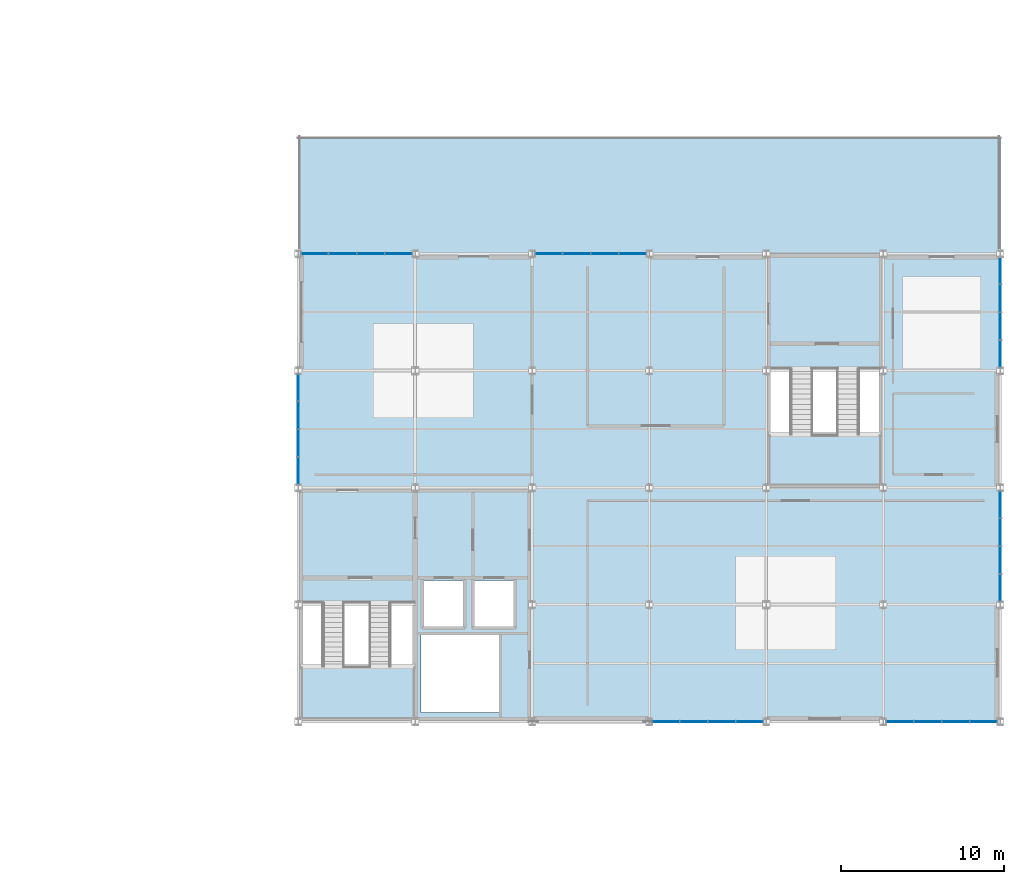
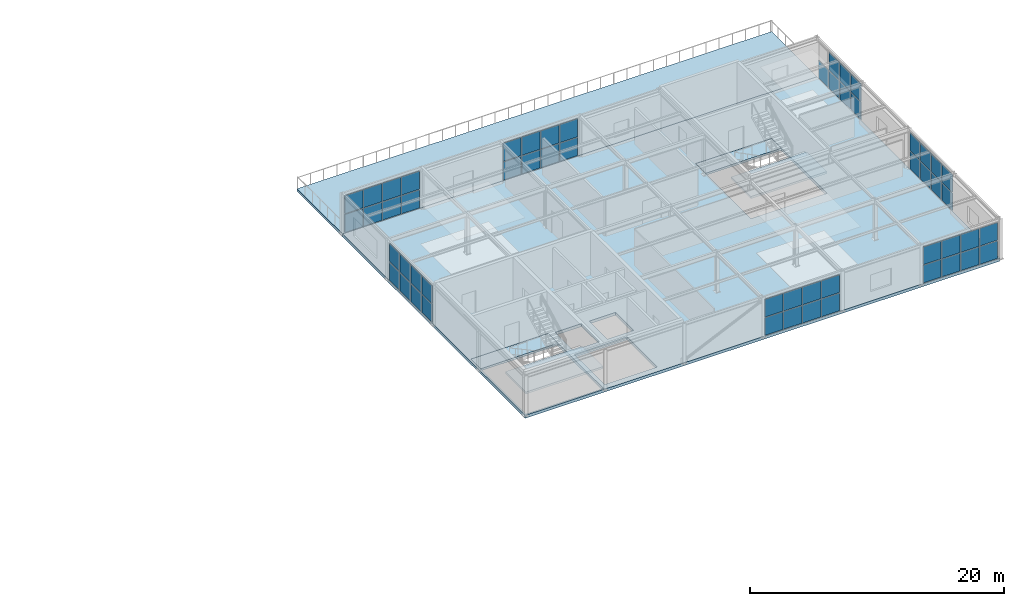
# One storey, part 17 of 30: 55 plates, 6 slabs, 9 elements without a shape of their own.
"""IFC4 building model written with IfcOpenShell, lengths in metres."""

from ifc_helpers import new_model, si_unit, direction, frame, origin, origin_2d, place, context, subcontext, project, spatial, polyline, rectangle, outline, extrude, material, layer, layer_set, type_object, element, aggregate, save


model = new_model("IFC4")

# Units and contexts
model_context = context("Model", 3, precision=1e-05, world=origin(), true_north=direction((0.0, 1.0)))
body_context = subcontext(model_context, "Body", "Model", "MODEL_VIEW")
ifc_project = project(units=[si_unit("LENGTHUNIT", "METRE"), si_unit("AREAUNIT", "SQUARE_METRE"), si_unit("VOLUMEUNIT", "CUBIC_METRE"), si_unit("PLANEANGLEUNIT", "RADIAN"), si_unit("MASSUNIT", "GRAM", prefix="KILO")], contexts=[model_context])

# Site, building, storey
site_placement = place(None, origin())
site = spatial("IfcSite", under=ifc_project, at=site_placement, CompositionType="ELEMENT")
building_placement = place(site_placement, origin())
building = spatial("IfcBuilding", under=site, at=building_placement, Name="Leyfeld Transit Interchange", CompositionType="ELEMENT")
storey_placement = place(building_placement, frame((0.0, 0.0, 13.800048828125)))
storey = spatial("IfcBuildingStorey", under=building, at=storey_placement, Name="L03", CompositionType="ELEMENT", Elevation=13.800048828125)

# Curtain wall, plates
ifc_material_1 = material(Name="Anodised aluminium EN AW-6060 T66", Category="aluminium")
curtain_wall_type = type_object("IfcCurtainWallType", Name="CW-SYS-BUS-7200", PredefinedType="NOTDEFINED", material=ifc_material_1)
curtain_wall_1_placement = place(storey_placement, origin())
curtain_wall_1 = element("IfcCurtainWall", 1, at=curtain_wall_1_placement, inside=storey, type_object=curtain_wall_type, Name="Curtain Wall CW-L03-128", PredefinedType="NOTDEFINED")
ifc_material_2 = material(Name="Laminated safety acoustic glazing", Category="glass")
ifc_layer_1 = layer(ifc_material_2, 0.048095703125, Name="Laminated safety acoustic glazing")
ifc_layer_set_1 = layer_set([ifc_layer_1], Name="Laminated safety acoustic glazing")
plate_type = type_object("IfcPlateType", Name="CW-PNL-ACU-48", PredefinedType="CURTAIN_PANEL", material=ifc_layer_set_1)
plate_1_placement = place(storey_placement, frame((136.800048828125, 73.04638671875, 0.073486328125), z_axis=(0.0, 0.0, 1.0), x_axis=(0.0, 1.0, 0.0)))
plate_1 = element("IfcPlate", 2, at=plate_1_placement, type_object=plate_type, Name="Glazed Curtain Panel CW-L03-128-P01_1", PredefinedType="CURTAIN_PANEL", context=body_context, shape_type="SweptSolid", body=[
    extrude(rectangle(XDim=1.60546875, YDim=0.048095703125, at=origin_2d()), origin(), (0.0, 0.0, 1.0), 1.73046875),
])
plate_2_placement = place(storey_placement, frame((136.800048828125, 73.04638671875, 1.8759765625), z_axis=(0.0, 0.0, 1.0), x_axis=(0.0, 1.0, 0.0)))
plate_2 = element("IfcPlate", 3, at=plate_2_placement, type_object=plate_type, Name="Glazed Curtain Panel CW-L03-128-P01_2", PredefinedType="CURTAIN_PANEL", context=body_context, shape_type="SweptSolid", body=[
    extrude(rectangle(XDim=1.60546875, YDim=0.048095703125, at=origin_2d()), origin(), (0.0, 0.0, 1.0), 1.73046875),
])
plate_3_placement = place(storey_placement, frame((136.800048828125, 74.742431640625, 0.073486328125), z_axis=(0.0, 0.0, 1.0), x_axis=(0.0, 1.0, 0.0)))
plate_3 = element("IfcPlate", 4, at=plate_3_placement, type_object=plate_type, Name="Glazed Curtain Panel CW-L03-128-P02_1", PredefinedType="CURTAIN_PANEL", context=body_context, shape_type="SweptSolid", body=[
    extrude(rectangle(XDim=1.64306640625, YDim=0.048095703125, at=origin_2d()), origin(), (0.0, 0.0, 1.0), 1.73046875),
])
plate_4_placement = place(storey_placement, frame((136.800048828125, 74.742431640625, 1.8759765625), z_axis=(0.0, 0.0, 1.0), x_axis=(0.0, 1.0, 0.0)))
plate_4 = element("IfcPlate", 5, at=plate_4_placement, type_object=plate_type, Name="Glazed Curtain Panel CW-L03-128-P02_2", PredefinedType="CURTAIN_PANEL", context=body_context, shape_type="SweptSolid", body=[
    extrude(rectangle(XDim=1.64306640625, YDim=0.048095703125, at=origin_2d()), origin(), (0.0, 0.0, 1.0), 1.73046875),
])
plate_5_placement = place(storey_placement, frame((136.800048828125, 76.45751953125, 0.073486328125), z_axis=(0.0, 0.0, 1.0), x_axis=(0.0, 1.0, 0.0)))
plate_5 = element("IfcPlate", 6, at=plate_5_placement, type_object=plate_type, Name="Glazed Curtain Panel CW-L03-128-P03_1", PredefinedType="CURTAIN_PANEL", context=body_context, shape_type="SweptSolid", body=[
    extrude(rectangle(XDim=1.64306640625, YDim=0.048095703125, at=origin_2d()), origin(), (0.0, 0.0, 1.0), 1.73046875),
])
plate_6_placement = place(storey_placement, frame((136.800048828125, 76.45751953125, 1.8759765625), z_axis=(0.0, 0.0, 1.0), x_axis=(0.0, 1.0, 0.0)))
plate_6 = element("IfcPlate", 7, at=plate_6_placement, type_object=plate_type, Name="Glazed Curtain Panel CW-L03-128-P03_2", PredefinedType="CURTAIN_PANEL", context=body_context, shape_type="SweptSolid", body=[
    extrude(rectangle(XDim=1.64306640625, YDim=0.048095703125, at=origin_2d()), origin(), (0.0, 0.0, 1.0), 1.73046875),
])
plate_7_placement = place(storey_placement, frame((136.800048828125, 78.15380859375, 0.073486328125), z_axis=(0.0, 0.0, 1.0), x_axis=(0.0, 1.0, 0.0)))
plate_7 = element("IfcPlate", 8, at=plate_7_placement, type_object=plate_type, Name="Glazed Curtain Panel CW-L03-128-P04_1", PredefinedType="CURTAIN_PANEL", context=body_context, shape_type="SweptSolid", body=[
    extrude(rectangle(XDim=1.60546875, YDim=0.048095703125, at=origin_2d()), origin(), (0.0, 0.0, 1.0), 1.73046875),
])
plate_8_placement = place(storey_placement, frame((136.800048828125, 78.15380859375, 1.8759765625), z_axis=(0.0, 0.0, 1.0), x_axis=(0.0, 1.0, 0.0)))
plate_8 = element("IfcPlate", 9, at=plate_8_placement, type_object=plate_type, Name="Glazed Curtain Panel CW-L03-128-P04_2", PredefinedType="CURTAIN_PANEL", context=body_context, shape_type="SweptSolid", body=[
    extrude(rectangle(XDim=1.60546875, YDim=0.048095703125, at=origin_2d()), origin(), (0.0, 0.0, 1.0), 1.73046875),
])
aggregate(curtain_wall_1, [plate_1, plate_2, plate_3, plate_4, plate_5, plate_6, plate_7, plate_8])

curtain_wall_2_placement = place(storey_placement, origin())
curtain_wall_2 = element("IfcCurtainWall", 10, at=curtain_wall_2_placement, inside=storey, type_object=curtain_wall_type, Name="Curtain Wall CW-L03-129", PredefinedType="NOTDEFINED")
plate_9_placement = place(storey_placement, frame((137.82373046875, 86.39990234375, 0.073486328125), z_axis=(0.0, 0.0, 1.0), x_axis=(1.0, 0.0, 0.0)))
plate_9 = element("IfcPlate", 11, at=plate_9_placement, type_object=plate_type, Name="Glazed Curtain Panel CW-L03-129-P01_1", PredefinedType="CURTAIN_PANEL", context=body_context, shape_type="SweptSolid", body=[
    extrude(rectangle(XDim=1.62060546875, YDim=0.048095703125, at=origin_2d()), origin(), (0.0, 0.0, 1.0), 1.73046875),
])
plate_10_placement = place(storey_placement, frame((137.82373046875, 86.39990234375, 1.8759765625), z_axis=(0.0, 0.0, 1.0), x_axis=(1.0, 0.0, 0.0)))
plate_10 = element("IfcPlate", 12, at=plate_10_placement, type_object=plate_type, Name="Glazed Curtain Panel CW-L03-129-P01_2", PredefinedType="CURTAIN_PANEL", context=body_context, shape_type="SweptSolid", body=[
    extrude(rectangle(XDim=1.62060546875, YDim=0.048095703125, at=origin_2d()), origin(), (0.0, 0.0, 1.0), 1.73046875),
])
plate_11_placement = place(storey_placement, frame((139.534912109375, 86.39990234375, 0.073486328125), z_axis=(0.0, 0.0, 1.0), x_axis=(1.0, 0.0, 0.0)))
plate_11 = element("IfcPlate", 13, at=plate_11_placement, type_object=plate_type, Name="Glazed Curtain Panel CW-L03-129-P02_1", PredefinedType="CURTAIN_PANEL", context=body_context, shape_type="SweptSolid", body=[
    extrude(rectangle(XDim=1.657958984375, YDim=0.048095703125, at=origin_2d()), origin(), (0.0, 0.0, 1.0), 1.73046875),
])
plate_12_placement = place(storey_placement, frame((139.534912109375, 86.39990234375, 1.8759765625), z_axis=(0.0, 0.0, 1.0), x_axis=(1.0, 0.0, 0.0)))
plate_12 = element("IfcPlate", 14, at=plate_12_placement, type_object=plate_type, Name="Glazed Curtain Panel CW-L03-129-P02_2", PredefinedType="CURTAIN_PANEL", context=body_context, shape_type="SweptSolid", body=[
    extrude(rectangle(XDim=1.657958984375, YDim=0.048095703125, at=origin_2d()), origin(), (0.0, 0.0, 1.0), 1.73046875),
])
plate_13_placement = place(storey_placement, frame((141.264892578125, 86.39990234375, 0.073486328125), z_axis=(0.0, 0.0, 1.0), x_axis=(1.0, 0.0, 0.0)))
plate_13 = element("IfcPlate", 15, at=plate_13_placement, type_object=plate_type, Name="Glazed Curtain Panel CW-L03-129-P03_1", PredefinedType="CURTAIN_PANEL", context=body_context, shape_type="SweptSolid", body=[
    extrude(rectangle(XDim=1.657958984375, YDim=0.048095703125, at=origin_2d()), origin(), (0.0, 0.0, 1.0), 1.73046875),
])
plate_14_placement = place(storey_placement, frame((141.264892578125, 86.39990234375, 1.8759765625), z_axis=(0.0, 0.0, 1.0), x_axis=(1.0, 0.0, 0.0)))
plate_14 = element("IfcPlate", 16, at=plate_14_placement, type_object=plate_type, Name="Glazed Curtain Panel CW-L03-129-P03_2", PredefinedType="CURTAIN_PANEL", context=body_context, shape_type="SweptSolid", body=[
    extrude(rectangle(XDim=1.657958984375, YDim=0.048095703125, at=origin_2d()), origin(), (0.0, 0.0, 1.0), 1.73046875),
])
plate_15_placement = place(storey_placement, frame((142.976318359375, 86.39990234375, 0.073486328125), z_axis=(0.0, 0.0, 1.0), x_axis=(1.0, 0.0, 0.0)))
plate_15 = element("IfcPlate", 17, at=plate_15_placement, type_object=plate_type, Name="Glazed Curtain Panel CW-L03-129-P04_1", PredefinedType="CURTAIN_PANEL", context=body_context, shape_type="SweptSolid", body=[
    extrude(rectangle(XDim=1.62060546875, YDim=0.048095703125, at=origin_2d()), origin(), (0.0, 0.0, 1.0), 1.73046875),
])
plate_16_placement = place(storey_placement, frame((142.976318359375, 86.39990234375, 1.8759765625), z_axis=(0.0, 0.0, 1.0), x_axis=(1.0, 0.0, 0.0)))
plate_16 = element("IfcPlate", 18, at=plate_16_placement, type_object=plate_type, Name="Glazed Curtain Panel CW-L03-129-P04_2", PredefinedType="CURTAIN_PANEL", context=body_context, shape_type="SweptSolid", body=[
    extrude(rectangle(XDim=1.62060546875, YDim=0.048095703125, at=origin_2d()), origin(), (0.0, 0.0, 1.0), 1.73046875),
])
aggregate(curtain_wall_2, [plate_9, plate_10, plate_11, plate_12, plate_13, plate_14, plate_15, plate_16])

curtain_wall_3_placement = place(storey_placement, origin())
curtain_wall_3 = element("IfcCurtainWall", 19, at=curtain_wall_3_placement, inside=storey, type_object=curtain_wall_type, Name="Curtain Wall CW-L03-130", PredefinedType="NOTDEFINED")
plate_17_placement = place(storey_placement, frame((152.2236328125, 86.39990234375, 0.073486328125), z_axis=(0.0, 0.0, 1.0), x_axis=(1.0, 0.0, 0.0)))
plate_17 = element("IfcPlate", 20, at=plate_17_placement, type_object=plate_type, Name="Glazed Curtain Panel CW-L03-130-P01_1", PredefinedType="CURTAIN_PANEL", context=body_context, shape_type="SweptSolid", body=[
    extrude(rectangle(XDim=1.62060546875, YDim=0.048095703125, at=origin_2d()), origin(), (0.0, 0.0, 1.0), 1.73046875),
])
plate_18_placement = place(storey_placement, frame((152.2236328125, 86.39990234375, 1.8759765625), z_axis=(0.0, 0.0, 1.0), x_axis=(1.0, 0.0, 0.0)))
plate_18 = element("IfcPlate", 21, at=plate_18_placement, type_object=plate_type, Name="Glazed Curtain Panel CW-L03-130-P01_2", PredefinedType="CURTAIN_PANEL", context=body_context, shape_type="SweptSolid", body=[
    extrude(rectangle(XDim=1.62060546875, YDim=0.048095703125, at=origin_2d()), origin(), (0.0, 0.0, 1.0), 1.73046875),
])
plate_19_placement = place(storey_placement, frame((153.93505859375, 86.39990234375, 0.073486328125), z_axis=(0.0, 0.0, 1.0), x_axis=(1.0, 0.0, 0.0)))
plate_19 = element("IfcPlate", 22, at=plate_19_placement, type_object=plate_type, Name="Glazed Curtain Panel CW-L03-130-P02_1", PredefinedType="CURTAIN_PANEL", context=body_context, shape_type="SweptSolid", body=[
    extrude(rectangle(XDim=1.657958984375, YDim=0.048095703125, at=origin_2d()), origin(), (0.0, 0.0, 1.0), 1.73046875),
])
plate_20_placement = place(storey_placement, frame((153.93505859375, 86.39990234375, 1.8759765625), z_axis=(0.0, 0.0, 1.0), x_axis=(1.0, 0.0, 0.0)))
plate_20 = element("IfcPlate", 23, at=plate_20_placement, type_object=plate_type, Name="Glazed Curtain Panel CW-L03-130-P02_2", PredefinedType="CURTAIN_PANEL", context=body_context, shape_type="SweptSolid", body=[
    extrude(rectangle(XDim=1.657958984375, YDim=0.048095703125, at=origin_2d()), origin(), (0.0, 0.0, 1.0), 1.73046875),
])
plate_21_placement = place(storey_placement, frame((155.6650390625, 86.39990234375, 0.073486328125), z_axis=(0.0, 0.0, 1.0), x_axis=(1.0, 0.0, 0.0)))
plate_21 = element("IfcPlate", 24, at=plate_21_placement, type_object=plate_type, Name="Glazed Curtain Panel CW-L03-130-P03_1", PredefinedType="CURTAIN_PANEL", context=body_context, shape_type="SweptSolid", body=[
    extrude(rectangle(XDim=1.657958984375, YDim=0.048095703125, at=origin_2d()), origin(), (0.0, 0.0, 1.0), 1.73046875),
])
plate_22_placement = place(storey_placement, frame((155.6650390625, 86.39990234375, 1.8759765625), z_axis=(0.0, 0.0, 1.0), x_axis=(1.0, 0.0, 0.0)))
plate_22 = element("IfcPlate", 25, at=plate_22_placement, type_object=plate_type, Name="Glazed Curtain Panel CW-L03-130-P03_2", PredefinedType="CURTAIN_PANEL", context=body_context, shape_type="SweptSolid", body=[
    extrude(rectangle(XDim=1.657958984375, YDim=0.048095703125, at=origin_2d()), origin(), (0.0, 0.0, 1.0), 1.73046875),
])
plate_23_placement = place(storey_placement, frame((157.376220703125, 86.39990234375, 0.073486328125), z_axis=(0.0, 0.0, 1.0), x_axis=(1.0, 0.0, 0.0)))
plate_23 = element("IfcPlate", 26, at=plate_23_placement, type_object=plate_type, Name="Glazed Curtain Panel CW-L03-130-P04_1", PredefinedType="CURTAIN_PANEL", context=body_context, shape_type="SweptSolid", body=[
    extrude(rectangle(XDim=1.62060546875, YDim=0.048095703125, at=origin_2d()), origin(), (0.0, 0.0, 1.0), 1.73046875),
])
plate_24_placement = place(storey_placement, frame((157.376220703125, 86.39990234375, 1.8759765625), z_axis=(0.0, 0.0, 1.0), x_axis=(1.0, 0.0, 0.0)))
plate_24 = element("IfcPlate", 27, at=plate_24_placement, type_object=plate_type, Name="Glazed Curtain Panel CW-L03-130-P04_2", PredefinedType="CURTAIN_PANEL", context=body_context, shape_type="SweptSolid", body=[
    extrude(rectangle(XDim=1.62060546875, YDim=0.048095703125, at=origin_2d()), origin(), (0.0, 0.0, 1.0), 1.73046875),
])
aggregate(curtain_wall_3, [plate_17, plate_18, plate_19, plate_20, plate_21, plate_22, plate_23, plate_24])

curtain_wall_4_placement = place(storey_placement, origin())
curtain_wall_4 = element("IfcCurtainWall", 28, at=curtain_wall_4_placement, inside=storey, type_object=curtain_wall_type, Name="Curtain Wall CW-L03-131", PredefinedType="NOTDEFINED")
plate_25_placement = place(storey_placement, frame((180.0, 85.353759765625, 0.073486328125), z_axis=(0.0, 0.0, 1.0), x_axis=(0.0, -1.0, 0.0)))
plate_25 = element("IfcPlate", 29, at=plate_25_placement, type_object=plate_type, Name="Glazed Curtain Panel CW-L03-131-P01_1", PredefinedType="CURTAIN_PANEL", context=body_context, shape_type="SweptSolid", body=[
    extrude(rectangle(XDim=1.60546875, YDim=0.048095703125, at=origin_2d()), origin(), (0.0, 0.0, 1.0), 1.6904296875),
])
plate_26_placement = place(storey_placement, frame((180.0, 83.657470703125, 0.073486328125), z_axis=(0.0, 0.0, 1.0), x_axis=(0.0, -1.0, 0.0)))
plate_26 = element("IfcPlate", 30, at=plate_26_placement, type_object=plate_type, Name="Glazed Curtain Panel CW-L03-131-P02_1", PredefinedType="CURTAIN_PANEL", context=body_context, shape_type="SweptSolid", body=[
    extrude(rectangle(XDim=1.64306640625, YDim=0.048095703125, at=origin_2d()), origin(), (0.0, 0.0, 1.0), 1.6904296875),
])
plate_27_placement = place(storey_placement, frame((180.0, 83.657470703125, 1.8359375), z_axis=(0.0, 0.0, 1.0), x_axis=(0.0, -1.0, 0.0)))
plate_27 = element("IfcPlate", 31, at=plate_27_placement, type_object=plate_type, Name="Glazed Curtain Panel CW-L03-131-P02_2", PredefinedType="CURTAIN_PANEL", context=body_context, shape_type="SweptSolid", body=[
    extrude(rectangle(XDim=1.64306640625, YDim=0.048095703125, at=origin_2d()), origin(), (0.0, 0.0, 1.0), 1.6904296875),
])
plate_28_placement = place(storey_placement, frame((180.0, 81.9423828125, 0.073486328125), z_axis=(0.0, 0.0, 1.0), x_axis=(0.0, -1.0, 0.0)))
plate_28 = element("IfcPlate", 32, at=plate_28_placement, type_object=plate_type, Name="Glazed Curtain Panel CW-L03-131-P03_1", PredefinedType="CURTAIN_PANEL", context=body_context, shape_type="SweptSolid", body=[
    extrude(rectangle(XDim=1.64306640625, YDim=0.048095703125, at=origin_2d()), origin(), (0.0, 0.0, 1.0), 1.6904296875),
])
plate_29_placement = place(storey_placement, frame((180.0, 81.9423828125, 1.8359375), z_axis=(0.0, 0.0, 1.0), x_axis=(0.0, -1.0, 0.0)))
plate_29 = element("IfcPlate", 33, at=plate_29_placement, type_object=plate_type, Name="Glazed Curtain Panel CW-L03-131-P03_2", PredefinedType="CURTAIN_PANEL", context=body_context, shape_type="SweptSolid", body=[
    extrude(rectangle(XDim=1.64306640625, YDim=0.048095703125, at=origin_2d()), origin(), (0.0, 0.0, 1.0), 1.6904296875),
])
plate_30_placement = place(storey_placement, frame((180.0, 80.246337890625, 0.073486328125), z_axis=(0.0, 0.0, 1.0), x_axis=(0.0, -1.0, 0.0)))
plate_30 = element("IfcPlate", 34, at=plate_30_placement, type_object=plate_type, Name="Glazed Curtain Panel CW-L03-131-P04_1", PredefinedType="CURTAIN_PANEL", context=body_context, shape_type="SweptSolid", body=[
    extrude(rectangle(XDim=1.60546875, YDim=0.048095703125, at=origin_2d()), origin(), (0.0, 0.0, 1.0), 1.6904296875),
])
plate_31_placement = place(storey_placement, frame((180.0, 80.246337890625, 1.8359375), z_axis=(0.0, 0.0, 1.0), x_axis=(0.0, -1.0, 0.0)))
plate_31 = element("IfcPlate", 35, at=plate_31_placement, type_object=plate_type, Name="Glazed Curtain Panel CW-L03-131-P04_2", PredefinedType="CURTAIN_PANEL", context=body_context, shape_type="SweptSolid", body=[
    extrude(rectangle(XDim=1.60546875, YDim=0.048095703125, at=origin_2d()), origin(), (0.0, 0.0, 1.0), 1.6904296875),
])
aggregate(curtain_wall_4, [plate_25, plate_26, plate_27, plate_28, plate_29, plate_30, plate_31])

curtain_wall_5_placement = place(storey_placement, origin())
curtain_wall_5 = element("IfcCurtainWall", 36, at=curtain_wall_5_placement, inside=storey, type_object=curtain_wall_type, Name="Curtain Wall CW-L03-132", PredefinedType="NOTDEFINED")
plate_32_placement = place(storey_placement, frame((180.0, 70.95361328125, 0.073486328125), z_axis=(0.0, 0.0, 1.0), x_axis=(0.0, -1.0, 0.0)))
plate_32 = element("IfcPlate", 37, at=plate_32_placement, type_object=plate_type, Name="Glazed Curtain Panel CW-L03-132-P01_1", PredefinedType="CURTAIN_PANEL", context=body_context, shape_type="SweptSolid", body=[
    extrude(rectangle(XDim=1.60546875, YDim=0.048095703125, at=origin_2d()), origin(), (0.0, 0.0, 1.0), 1.6904296875),
])
plate_33_placement = place(storey_placement, frame((180.0, 70.95361328125, 1.8359375), z_axis=(0.0, 0.0, 1.0), x_axis=(0.0, -1.0, 0.0)))
plate_33 = element("IfcPlate", 38, at=plate_33_placement, type_object=plate_type, Name="Glazed Curtain Panel CW-L03-132-P01_2", PredefinedType="CURTAIN_PANEL", context=body_context, shape_type="SweptSolid", body=[
    extrude(rectangle(XDim=1.60546875, YDim=0.048095703125, at=origin_2d()), origin(), (0.0, 0.0, 1.0), 1.6904296875),
])
plate_34_placement = place(storey_placement, frame((180.0, 69.257568359375, 0.073486328125), z_axis=(0.0, 0.0, 1.0), x_axis=(0.0, -1.0, 0.0)))
plate_34 = element("IfcPlate", 39, at=plate_34_placement, type_object=plate_type, Name="Glazed Curtain Panel CW-L03-132-P02_1", PredefinedType="CURTAIN_PANEL", context=body_context, shape_type="SweptSolid", body=[
    extrude(rectangle(XDim=1.64306640625, YDim=0.048095703125, at=origin_2d()), origin(), (0.0, 0.0, 1.0), 1.6904296875),
])
plate_35_placement = place(storey_placement, frame((180.0, 69.257568359375, 1.8359375), z_axis=(0.0, 0.0, 1.0), x_axis=(0.0, -1.0, 0.0)))
plate_35 = element("IfcPlate", 40, at=plate_35_placement, type_object=plate_type, Name="Glazed Curtain Panel CW-L03-132-P02_2", PredefinedType="CURTAIN_PANEL", context=body_context, shape_type="SweptSolid", body=[
    extrude(rectangle(XDim=1.64306640625, YDim=0.048095703125, at=origin_2d()), origin(), (0.0, 0.0, 1.0), 1.6904296875),
])
plate_36_placement = place(storey_placement, frame((180.0, 67.54248046875, 0.073486328125), z_axis=(0.0, 0.0, 1.0), x_axis=(0.0, -1.0, 0.0)))
plate_36 = element("IfcPlate", 41, at=plate_36_placement, type_object=plate_type, Name="Glazed Curtain Panel CW-L03-132-P03_1", PredefinedType="CURTAIN_PANEL", context=body_context, shape_type="SweptSolid", body=[
    extrude(rectangle(XDim=1.64306640625, YDim=0.048095703125, at=origin_2d()), origin(), (0.0, 0.0, 1.0), 1.6904296875),
])
plate_37_placement = place(storey_placement, frame((180.0, 67.54248046875, 1.8359375), z_axis=(0.0, 0.0, 1.0), x_axis=(0.0, -1.0, 0.0)))
plate_37 = element("IfcPlate", 42, at=plate_37_placement, type_object=plate_type, Name="Glazed Curtain Panel CW-L03-132-P03_2", PredefinedType="CURTAIN_PANEL", context=body_context, shape_type="SweptSolid", body=[
    extrude(rectangle(XDim=1.64306640625, YDim=0.048095703125, at=origin_2d()), origin(), (0.0, 0.0, 1.0), 1.6904296875),
])
plate_38_placement = place(storey_placement, frame((180.0, 65.84619140625, 0.073486328125), z_axis=(0.0, 0.0, 1.0), x_axis=(0.0, -1.0, 0.0)))
plate_38 = element("IfcPlate", 43, at=plate_38_placement, type_object=plate_type, Name="Glazed Curtain Panel CW-L03-132-P04_1", PredefinedType="CURTAIN_PANEL", context=body_context, shape_type="SweptSolid", body=[
    extrude(rectangle(XDim=1.60546875, YDim=0.048095703125, at=origin_2d()), origin(), (0.0, 0.0, 1.0), 1.6904296875),
])
plate_39_placement = place(storey_placement, frame((180.0, 65.84619140625, 1.8359375), z_axis=(0.0, 0.0, 1.0), x_axis=(0.0, -1.0, 0.0)))
plate_39 = element("IfcPlate", 44, at=plate_39_placement, type_object=plate_type, Name="Glazed Curtain Panel CW-L03-132-P04_2", PredefinedType="CURTAIN_PANEL", context=body_context, shape_type="SweptSolid", body=[
    extrude(rectangle(XDim=1.60546875, YDim=0.048095703125, at=origin_2d()), origin(), (0.0, 0.0, 1.0), 1.6904296875),
])
aggregate(curtain_wall_5, [plate_32, plate_33, plate_34, plate_35, plate_36, plate_37, plate_38, plate_39])

curtain_wall_6_placement = place(storey_placement, origin())
curtain_wall_6 = element("IfcCurtainWall", 45, at=curtain_wall_6_placement, inside=storey, type_object=curtain_wall_type, Name="Curtain Wall CW-L03-133", PredefinedType="NOTDEFINED")
plate_40_placement = place(storey_placement, frame((178.976318359375, 57.60009765625, 0.073486328125), z_axis=(0.0, 0.0, 1.0), x_axis=(-1.0, 0.0, 0.0)))
plate_40 = element("IfcPlate", 46, at=plate_40_placement, type_object=plate_type, Name="Glazed Curtain Panel CW-L03-133-P01_1", PredefinedType="CURTAIN_PANEL", context=body_context, shape_type="SweptSolid", body=[
    extrude(rectangle(XDim=1.62060546875, YDim=0.048095703125, at=origin_2d()), origin(), (0.0, 0.0, 1.0), 1.6904296875),
])
plate_41_placement = place(storey_placement, frame((178.976318359375, 57.60009765625, 1.8359375), z_axis=(0.0, 0.0, 1.0), x_axis=(-1.0, 0.0, 0.0)))
plate_41 = element("IfcPlate", 47, at=plate_41_placement, type_object=plate_type, Name="Glazed Curtain Panel CW-L03-133-P01_2", PredefinedType="CURTAIN_PANEL", context=body_context, shape_type="SweptSolid", body=[
    extrude(rectangle(XDim=1.62060546875, YDim=0.048095703125, at=origin_2d()), origin(), (0.0, 0.0, 1.0), 1.6904296875),
])
plate_42_placement = place(storey_placement, frame((177.264892578125, 57.60009765625, 0.073486328125), z_axis=(0.0, 0.0, 1.0), x_axis=(-1.0, 0.0, 0.0)))
plate_42 = element("IfcPlate", 48, at=plate_42_placement, type_object=plate_type, Name="Glazed Curtain Panel CW-L03-133-P02_1", PredefinedType="CURTAIN_PANEL", context=body_context, shape_type="SweptSolid", body=[
    extrude(rectangle(XDim=1.657958984375, YDim=0.048095703125, at=origin_2d()), origin(), (0.0, 0.0, 1.0), 1.6904296875),
])
plate_43_placement = place(storey_placement, frame((177.264892578125, 57.60009765625, 1.8359375), z_axis=(0.0, 0.0, 1.0), x_axis=(-1.0, 0.0, 0.0)))
plate_43 = element("IfcPlate", 49, at=plate_43_placement, type_object=plate_type, Name="Glazed Curtain Panel CW-L03-133-P02_2", PredefinedType="CURTAIN_PANEL", context=body_context, shape_type="SweptSolid", body=[
    extrude(rectangle(XDim=1.657958984375, YDim=0.048095703125, at=origin_2d()), origin(), (0.0, 0.0, 1.0), 1.6904296875),
])
plate_44_placement = place(storey_placement, frame((175.534912109375, 57.60009765625, 0.073486328125), z_axis=(0.0, 0.0, 1.0), x_axis=(-1.0, 0.0, 0.0)))
plate_44 = element("IfcPlate", 50, at=plate_44_placement, type_object=plate_type, Name="Glazed Curtain Panel CW-L03-133-P03_1", PredefinedType="CURTAIN_PANEL", context=body_context, shape_type="SweptSolid", body=[
    extrude(rectangle(XDim=1.657958984375, YDim=0.048095703125, at=origin_2d()), origin(), (0.0, 0.0, 1.0), 1.6904296875),
])
plate_45_placement = place(storey_placement, frame((175.534912109375, 57.60009765625, 1.8359375), z_axis=(0.0, 0.0, 1.0), x_axis=(-1.0, 0.0, 0.0)))
plate_45 = element("IfcPlate", 51, at=plate_45_placement, type_object=plate_type, Name="Glazed Curtain Panel CW-L03-133-P03_2", PredefinedType="CURTAIN_PANEL", context=body_context, shape_type="SweptSolid", body=[
    extrude(rectangle(XDim=1.657958984375, YDim=0.048095703125, at=origin_2d()), origin(), (0.0, 0.0, 1.0), 1.6904296875),
])
plate_46_placement = place(storey_placement, frame((173.82373046875, 57.60009765625, 0.073486328125), z_axis=(0.0, 0.0, 1.0), x_axis=(-1.0, 0.0, 0.0)))
plate_46 = element("IfcPlate", 52, at=plate_46_placement, type_object=plate_type, Name="Glazed Curtain Panel CW-L03-133-P04_1", PredefinedType="CURTAIN_PANEL", context=body_context, shape_type="SweptSolid", body=[
    extrude(rectangle(XDim=1.62060546875, YDim=0.048095703125, at=origin_2d()), origin(), (0.0, 0.0, 1.0), 1.6904296875),
])
plate_47_placement = place(storey_placement, frame((173.82373046875, 57.60009765625, 1.8359375), z_axis=(0.0, 0.0, 1.0), x_axis=(-1.0, 0.0, 0.0)))
plate_47 = element("IfcPlate", 53, at=plate_47_placement, type_object=plate_type, Name="Glazed Curtain Panel CW-L03-133-P04_2", PredefinedType="CURTAIN_PANEL", context=body_context, shape_type="SweptSolid", body=[
    extrude(rectangle(XDim=1.62060546875, YDim=0.048095703125, at=origin_2d()), origin(), (0.0, 0.0, 1.0), 1.6904296875),
])
aggregate(curtain_wall_6, [plate_40, plate_41, plate_42, plate_43, plate_44, plate_45, plate_46, plate_47])

curtain_wall_7_placement = place(storey_placement, origin())
curtain_wall_7 = element("IfcCurtainWall", 54, at=curtain_wall_7_placement, inside=storey, type_object=curtain_wall_type, Name="Curtain Wall CW-L03-134", PredefinedType="NOTDEFINED")
plate_48_placement = place(storey_placement, frame((164.576416015625, 57.60009765625, 0.073486328125), z_axis=(0.0, 0.0, 1.0), x_axis=(-1.0, 0.0, 0.0)))
plate_48 = element("IfcPlate", 55, at=plate_48_placement, type_object=plate_type, Name="Glazed Curtain Panel CW-L03-134-P01_1", PredefinedType="CURTAIN_PANEL", context=body_context, shape_type="SweptSolid", body=[
    extrude(rectangle(XDim=1.62060546875, YDim=0.048095703125, at=origin_2d()), origin(), (0.0, 0.0, 1.0), 1.6904296875),
])
plate_49_placement = place(storey_placement, frame((164.576416015625, 57.60009765625, 1.8359375), z_axis=(0.0, 0.0, 1.0), x_axis=(-1.0, 0.0, 0.0)))
plate_49 = element("IfcPlate", 56, at=plate_49_placement, type_object=plate_type, Name="Glazed Curtain Panel CW-L03-134-P01_2", PredefinedType="CURTAIN_PANEL", context=body_context, shape_type="SweptSolid", body=[
    extrude(rectangle(XDim=1.62060546875, YDim=0.048095703125, at=origin_2d()), origin(), (0.0, 0.0, 1.0), 1.6904296875),
])
plate_50_placement = place(storey_placement, frame((162.864990234375, 57.60009765625, 0.073486328125), z_axis=(0.0, 0.0, 1.0), x_axis=(-1.0, 0.0, 0.0)))
plate_50 = element("IfcPlate", 57, at=plate_50_placement, type_object=plate_type, Name="Glazed Curtain Panel CW-L03-134-P02_1", PredefinedType="CURTAIN_PANEL", context=body_context, shape_type="SweptSolid", body=[
    extrude(rectangle(XDim=1.657958984375, YDim=0.048095703125, at=origin_2d()), origin(), (0.0, 0.0, 1.0), 1.6904296875),
])
plate_51_placement = place(storey_placement, frame((162.864990234375, 57.60009765625, 1.8359375), z_axis=(0.0, 0.0, 1.0), x_axis=(-1.0, 0.0, 0.0)))
plate_51 = element("IfcPlate", 58, at=plate_51_placement, type_object=plate_type, Name="Glazed Curtain Panel CW-L03-134-P02_2", PredefinedType="CURTAIN_PANEL", context=body_context, shape_type="SweptSolid", body=[
    extrude(rectangle(XDim=1.657958984375, YDim=0.048095703125, at=origin_2d()), origin(), (0.0, 0.0, 1.0), 1.6904296875),
])
plate_52_placement = place(storey_placement, frame((161.135009765625, 57.60009765625, 0.073486328125), z_axis=(0.0, 0.0, 1.0), x_axis=(-1.0, 0.0, 0.0)))
plate_52 = element("IfcPlate", 59, at=plate_52_placement, type_object=plate_type, Name="Glazed Curtain Panel CW-L03-134-P03_1", PredefinedType="CURTAIN_PANEL", context=body_context, shape_type="SweptSolid", body=[
    extrude(rectangle(XDim=1.657958984375, YDim=0.048095703125, at=origin_2d()), origin(), (0.0, 0.0, 1.0), 1.6904296875),
])
plate_53_placement = place(storey_placement, frame((161.135009765625, 57.60009765625, 1.8359375), z_axis=(0.0, 0.0, 1.0), x_axis=(-1.0, 0.0, 0.0)))
plate_53 = element("IfcPlate", 60, at=plate_53_placement, type_object=plate_type, Name="Glazed Curtain Panel CW-L03-134-P03_2", PredefinedType="CURTAIN_PANEL", context=body_context, shape_type="SweptSolid", body=[
    extrude(rectangle(XDim=1.657958984375, YDim=0.048095703125, at=origin_2d()), origin(), (0.0, 0.0, 1.0), 1.6904296875),
])
plate_54_placement = place(storey_placement, frame((159.423828125, 57.60009765625, 0.073486328125), z_axis=(0.0, 0.0, 1.0), x_axis=(-1.0, 0.0, 0.0)))
plate_54 = element("IfcPlate", 61, at=plate_54_placement, type_object=plate_type, Name="Glazed Curtain Panel CW-L03-134-P04_1", PredefinedType="CURTAIN_PANEL", context=body_context, shape_type="SweptSolid", body=[
    extrude(rectangle(XDim=1.62060546875, YDim=0.048095703125, at=origin_2d()), origin(), (0.0, 0.0, 1.0), 1.6904296875),
])
plate_55_placement = place(storey_placement, frame((159.423828125, 57.60009765625, 1.8359375), z_axis=(0.0, 0.0, 1.0), x_axis=(-1.0, 0.0, 0.0)))
plate_55 = element("IfcPlate", 62, at=plate_55_placement, type_object=plate_type, Name="Glazed Curtain Panel CW-L03-134-P04_2", PredefinedType="CURTAIN_PANEL", context=body_context, shape_type="SweptSolid", body=[
    extrude(rectangle(XDim=1.62060546875, YDim=0.048095703125, at=origin_2d()), origin(), (0.0, 0.0, 1.0), 1.6904296875),
])
aggregate(curtain_wall_7, [plate_48, plate_49, plate_50, plate_51, plate_52, plate_53, plate_54, plate_55])

# Slabs
ifc_material_3 = material(Name="Concrete C35/45", Category="concrete")
ifc_layer_2 = layer(ifc_material_3, 0.280029296875, Name="Concrete C35/45")
ifc_layer_set_2 = layer_set([ifc_layer_2], Name="Concrete C35/45")
slab_type_1 = type_object("IfcSlabType", Name="SLB-FLR-280", PredefinedType="FLOOR", material=ifc_layer_set_2)
slab_1_placement = place(storey_placement, frame((0.0, 0.0, -0.280029296875)))
element("IfcSlab", 63, at=slab_1_placement, inside=storey, type_object=slab_type_1, Name="Slab V4 L03 B1", PredefinedType="FLOOR", context=body_context, shape_type="SweptSolid", body=[
    extrude(outline(polyline([(180.0, 57.60009765625), (180.0, 86.39990234375), (136.800048828125, 86.39990234375), (136.800048828125, 57.60009765625), (180.0, 57.60009765625)]), holes=[polyline([(144.0, 57.75), (136.949951171875, 57.75), (136.949951171875, 66.449951171875), (144.0, 66.449951171875), (144.0, 57.75)]), polyline([(144.35009765625, 58.14990234375), (144.35009765625, 62.919921875), (149.14990234375, 62.919921875), (149.14990234375, 58.14990234375), (144.35009765625, 58.14990234375)]), polyline([(144.550048828125, 66.300048828125), (146.949951171875, 66.300048828125), (146.949951171875, 63.449951171875), (144.550048828125, 63.449951171875), (144.550048828125, 66.300048828125)]), polyline([(150.050048828125, 66.300048828125), (150.050048828125, 63.449951171875), (147.64990234375, 63.449951171875), (147.64990234375, 66.300048828125), (150.050048828125, 66.300048828125)]), polyline([(172.6650390625, 72.135009765625), (165.735107421875, 72.135009765625), (165.735107421875, 80.85009765625), (172.6650390625, 80.85009765625), (172.6650390625, 72.135009765625)])]), origin(), (0.0, 0.0, 1.0), 0.280029296875),
])
ifc_material_4 = material(Name="Precast concrete C40/50", Category="concrete")
ifc_layer_3 = layer(ifc_material_4, 0.199951171875, Name="Precast concrete C40/50")
ifc_layer_set_3 = layer_set([ifc_layer_3], Name="Precast concrete C40/50")
slab_type_2 = type_object("IfcSlabType", Name="SLB-LND-200", PredefinedType="LANDING", material=ifc_layer_set_3)
slab_2_placement = place(storey_placement, frame((0.0, 0.0, -0.199951171875)))
element("IfcSlab", 64, at=slab_2_placement, inside=storey, type_object=slab_type_2, Name="Core K4 Stair Floor Landing L03", PredefinedType="LANDING", context=body_context, shape_type="SweptSolid", body=[
    extrude(outline(polyline([(136.955078125, 64.89990234375), (143.9951171875, 64.89990234375), (143.9951171875, 66.445068359375), (136.955078125, 66.445068359375), (136.955078125, 64.89990234375)])), origin(), (0.0, 0.0, 1.0), 0.199951171875),
])

# Stair, slab
stair_type_1 = type_object("IfcStairType", Name="STR-HT-150x300", PredefinedType="HALF_TURN_STAIR", material=ifc_material_4)
stair_1_placement = place(storey_placement, origin())
stair_1 = element("IfcStair", 65, at=stair_1_placement, inside=storey, type_object=stair_type_1, Name="Exit Stair ST-04 (L03 to L04)", PredefinedType="HALF_TURN_STAIR")
slab_3_placement = place(storey_placement, frame((0.0, 0.0, 1.89990234375)))
slab_3 = element("IfcSlab", 66, at=slab_3_placement, type_object=slab_type_2, Name="Stair ST-04 L03 Half Landing", PredefinedType="LANDING", context=body_context, shape_type="SweptSolid", body=[
    extrude(outline(polyline([(136.955078125, 57.7548828125), (143.9951171875, 57.7548828125), (143.9951171875, 61.0), (136.955078125, 61.0), (136.955078125, 57.7548828125)])), origin(), (0.0, 0.0, 1.0), 0.199951171875),
])
aggregate(stair_1, [slab_3])

# Slab
slab_4_placement = place(storey_placement, frame((0.0, 0.0, -0.199951171875)))
element("IfcSlab", 67, at=slab_4_placement, inside=storey, type_object=slab_type_2, Name="Core K5 Stair Floor Landing L03", PredefinedType="LANDING", context=body_context, shape_type="SweptSolid", body=[
    extrude(outline(polyline([(165.739990234375, 79.300048828125), (172.659912109375, 79.300048828125), (172.659912109375, 80.844970703125), (165.739990234375, 80.844970703125), (165.739990234375, 79.300048828125)])), origin(), (0.0, 0.0, 1.0), 0.199951171875),
])

# Stair, slab
stair_type_2 = type_object("IfcStairType", Name="STR-HT-150x310", PredefinedType="HALF_TURN_STAIR", material=ifc_material_4)
stair_2_placement = place(storey_placement, origin())
stair_2 = element("IfcStair", 68, at=stair_2_placement, inside=storey, type_object=stair_type_2, Name="Exit Stair ST-05 (L03 to L04)", PredefinedType="HALF_TURN_STAIR")
slab_5_placement = place(storey_placement, frame((0.0, 0.0, 1.89990234375)))
slab_5 = element("IfcSlab", 69, at=slab_5_placement, type_object=slab_type_2, Name="Stair ST-05 L03 Half Landing", PredefinedType="LANDING", context=body_context, shape_type="SweptSolid", body=[
    extrude(outline(polyline([(165.739990234375, 72.139892578125), (172.659912109375, 72.139892578125), (172.659912109375, 75.27001953125), (165.739990234375, 75.27001953125), (165.739990234375, 72.139892578125)])), origin(), (0.0, 0.0, 1.0), 0.199951171875),
])
aggregate(stair_2, [slab_5])

# Slab
ifc_layer_4 = layer(ifc_material_3, 0.25, Name="Concrete C35/45")
ifc_layer_set_4 = layer_set([ifc_layer_4], Name="Concrete C35/45")
slab_type_3 = type_object("IfcSlabType", Name="SLB-TERR-250", PredefinedType="FLOOR", material=ifc_layer_set_4)
slab_6_placement = place(storey_placement, frame((0.0, 0.0, -0.25)))
element("IfcSlab", 70, at=slab_6_placement, inside=storey, type_object=slab_type_3, Name="Outdoor Roof Terrace V4_TERR L03", PredefinedType="FLOOR", context=body_context, shape_type="SweptSolid", body=[
    extrude(outline(polyline([(180.0, 93.574951171875), (136.800048828125, 93.574951171875), (136.800048828125, 86.39990234375), (180.0, 86.39990234375), (180.0, 93.574951171875)])), origin(), (0.0, 0.0, 1.0), 0.25),
])

save(model, "model.ifc")
